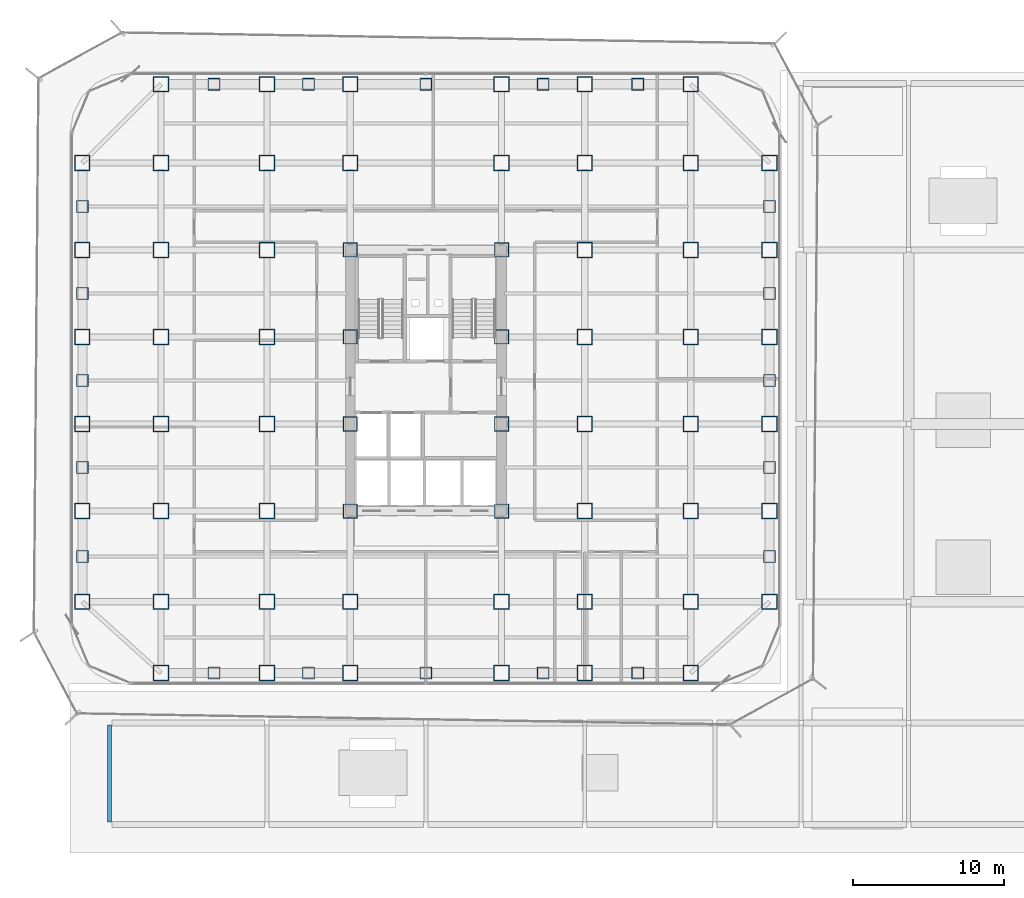
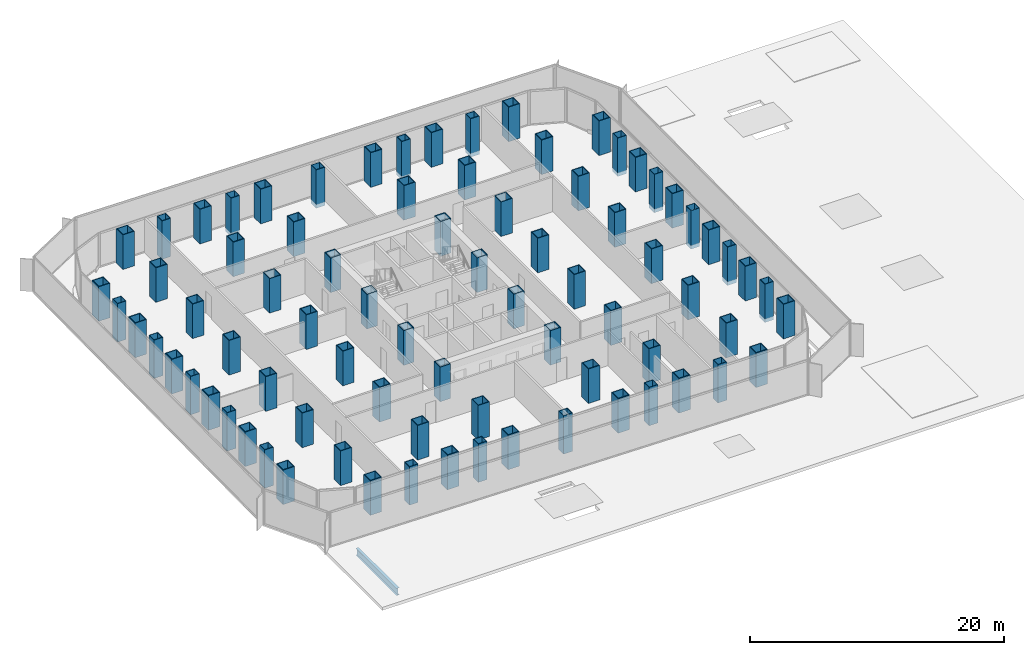
# One storey, part 1 of 27: 80 columns, 1 beam.
"""IFC4 building model written with IfcOpenShell, lengths in metres."""

from ifc_helpers import new_model, si_unit, direction, frame, origin, origin_2d, place, context, subcontext, project, spatial, hollow_rectangle, i_section, extrude, source, transform, mapped, material, material_profile, profile_set, type_object, element, save


model = new_model("IFC4")

# Units and contexts
model_context = context("Model", 3, precision=1e-05, world=origin(), true_north=direction((0.0, 1.0)))
body_context = subcontext(model_context, "Body", "Model", "MODEL_VIEW")
ifc_project = project(units=[si_unit("LENGTHUNIT", "METRE"), si_unit("AREAUNIT", "SQUARE_METRE"), si_unit("VOLUMEUNIT", "CUBIC_METRE"), si_unit("PLANEANGLEUNIT", "RADIAN"), si_unit("MASSUNIT", "GRAM", prefix="KILO")], contexts=[model_context])

# Site, building, storey
site_placement = place(None, origin())
site = spatial("IfcSite", under=ifc_project, at=site_placement, CompositionType="ELEMENT")
building_placement = place(site_placement, origin())
building = spatial("IfcBuilding", under=site, at=building_placement, Name="Kolveth Station Tower", CompositionType="ELEMENT")
storey_placement = place(building_placement, frame((0.0, 0.0, 22.5)))
storey = spatial("IfcBuildingStorey", under=building, at=storey_placement, Name="L05", CompositionType="ELEMENT", Elevation=22.5)

# Columns
ifc_material_1 = material(Name="Steel S460", Category="steel")
ifc_material_profile_1 = material_profile(ifc_material_1, hollow_rectangle(XDim=1.0400390625, YDim=1.0400390625, WallThickness=0.06494140625, at=origin_2d()), Name="BOX1040x1040x65")
ifc_profile_set_1 = profile_set([ifc_material_profile_1], Name="Steel S460")
column_type_1 = type_object("IfcColumnType", Name="Col_C2", PredefinedType="COLUMN", material=ifc_profile_set_1)
shared_shape_1 = source(origin(), body_context, "Body", "SweptSolid", [
    extrude(hollow_rectangle(XDim=1.0400390625, YDim=1.0400390625, WallThickness=0.06494140625, at=origin_2d()), origin(), (0.0, 0.0, 1.0), 3.320068359375),
])
for number, where, z_axis, x_axis, name in (
    (1, (6.0, 0.800048828125, 0.0), (0.0, 0.0, 1.0), (1.0, 0.0, 0.0), "L05 Tower Column S-X60"),
    (2, (6.0, 39.699951171875, 0.0), (0.0, 0.0, 1.0), (1.0, 0.0, 0.0), "L05 Tower Column N-X60"),
    (3, (13.0, 0.800048828125, 0.0), (0.0, 0.0, 1.0), (1.0, 0.0, 0.0), "L05 Tower Column S-X130"),
    (4, (13.0, 39.699951171875, 0.0), (0.0, 0.0, 1.0), (1.0, 0.0, 0.0), "L05 Tower Column N-X130"),
    (5, (18.5, 0.800048828125, 0.0), (0.0, 0.0, 1.0), (1.0, 0.0, 0.0), "L05 Tower Column S-X185"),
    (6, (18.5, 39.699951171875, 0.0), (0.0, 0.0, 1.0), (1.0, 0.0, 0.0), "L05 Tower Column N-X185"),
    (7, (28.5, 0.800048828125, 0.0), (0.0, 0.0, 1.0), (1.0, 0.0, 0.0), "L05 Tower Column S-X285"),
    (8, (28.5, 39.699951171875, 0.0), (0.0, 0.0, 1.0), (1.0, 0.0, 0.0), "L05 Tower Column N-X285"),
    (9, (34.0, 0.800048828125, 0.0), (0.0, 0.0, 1.0), (1.0, 0.0, 0.0), "L05 Tower Column S-X340"),
    (10, (34.0, 39.699951171875, 0.0), (0.0, 0.0, 1.0), (1.0, 0.0, 0.0), "L05 Tower Column N-X340"),
    (11, (41.0, 0.800048828125, 0.0), (0.0, 0.0, 1.0), (1.0, 0.0, 0.0), "L05 Tower Column S-X410"),
    (12, (41.0, 39.699951171875, 0.0), (0.0, 0.0, 1.0), (1.0, 0.0, 0.0), "L05 Tower Column N-X410"),
    (13, (0.800048828125, 5.5, 0.0), (0.0, 0.0, 1.0), (1.0, 0.0, 0.0), "L05 Tower Column W-Y55"),
    (14, (46.199951171875, 5.5, 0.0), (0.0, 0.0, 1.0), (1.0, 0.0, 0.0), "L05 Tower Column E-Y55"),
    (15, (0.800048828125, 11.5, 0.0), (0.0, 0.0, 1.0), (1.0, 0.0, 0.0), "L05 Tower Column W-Y115"),
    (16, (46.199951171875, 11.5, 0.0), (0.0, 0.0, 1.0), (1.0, 0.0, 0.0), "L05 Tower Column E-Y115"),
    (17, (0.800048828125, 17.25, 0.0), (0.0, 0.0, 1.0), (1.0, 0.0, 0.0), "L05 Tower Column W-Y172"),
    (18, (46.199951171875, 17.25, 0.0), (0.0, 0.0, 1.0), (1.0, 0.0, 0.0), "L05 Tower Column E-Y172"),
    (19, (0.800048828125, 23.0, 0.0), (0.0, 0.0, 1.0), (1.0, 0.0, 0.0), "L05 Tower Column W-Y230"),
    (20, (46.199951171875, 23.0, 0.0), (0.0, 0.0, 1.0), (1.0, 0.0, 0.0), "L05 Tower Column E-Y230"),
    (21, (0.800048828125, 28.75, 0.0), (0.0, 0.0, 1.0), (1.0, 0.0, 0.0), "L05 Tower Column W-Y287"),
    (22, (46.199951171875, 28.75, 0.0), (0.0, 0.0, 1.0), (1.0, 0.0, 0.0), "L05 Tower Column E-Y287"),
    (23, (0.800048828125, 34.5, 0.0), (0.0, 0.0, 1.0), (1.0, 0.0, 0.0), "L05 Tower Column W-Y345"),
    (24, (46.199951171875, 34.5, 0.0), (0.0, 0.0, 1.0), (1.0, 0.0, 0.0), "L05 Tower Column E-Y345"),
    (25, (6.0, 5.5, 0.0), (0.0, 0.0, 1.0), (1.0, 0.0, 0.0), "L05 Tower Column G-60-55"),
    (26, (6.0, 11.5, 0.0), (0.0, 0.0, 1.0), (1.0, 0.0, 0.0), "L05 Tower Column G-60-115"),
    (27, (6.0, 17.25, 0.0), (0.0, 0.0, 1.0), (1.0, 0.0, 0.0), "L05 Tower Column G-60-172"),
    (28, (6.0, 23.0, 0.0), (0.0, 0.0, 1.0), (1.0, 0.0, 0.0), "L05 Tower Column G-60-230"),
    (29, (6.0, 28.75, 0.0), (0.0, 0.0, 1.0), (1.0, 0.0, 0.0), "L05 Tower Column G-60-287"),
    (30, (6.0, 34.5, 0.0), (0.0, 0.0, 1.0), (1.0, 0.0, 0.0), "L05 Tower Column G-60-345"),
    (31, (13.0, 5.5, 0.0), (0.0, 0.0, 1.0), (1.0, 0.0, 0.0), "L05 Tower Column G-130-55"),
    (32, (13.0, 11.5, 0.0), (0.0, 0.0, 1.0), (1.0, 0.0, 0.0), "L05 Tower Column G-130-115"),
    (33, (13.0, 17.25, 0.0), (0.0, 0.0, 1.0), (1.0, 0.0, 0.0), "L05 Tower Column G-130-172"),
    (34, (13.0, 23.0, 0.0), (0.0, 0.0, 1.0), (1.0, 0.0, 0.0), "L05 Tower Column G-130-230"),
    (35, (13.0, 28.75, 0.0), (0.0, 0.0, 1.0), (1.0, 0.0, 0.0), "L05 Tower Column G-130-287"),
    (36, (13.0, 34.5, 0.0), (0.0, 0.0, 1.0), (1.0, 0.0, 0.0), "L05 Tower Column G-130-345"),
    (37, (18.5, 5.5, 0.0), (0.0, 0.0, 1.0), (1.0, 0.0, 0.0), "L05 Tower Column G-185-55"),
    (38, (18.5, 34.5, 0.0), (0.0, 0.0, 1.0), (1.0, 0.0, 0.0), "L05 Tower Column G-185-345"),
    (39, (28.5, 5.5, 0.0), (0.0, 0.0, 1.0), (1.0, 0.0, 0.0), "L05 Tower Column G-285-55"),
    (40, (28.5, 34.5, 0.0), (0.0, 0.0, 1.0), (1.0, 0.0, 0.0), "L05 Tower Column G-285-345"),
    (41, (34.0, 5.5, 0.0), (0.0, 0.0, 1.0), (1.0, 0.0, 0.0), "L05 Tower Column G-340-55"),
    (42, (34.0, 11.5, 0.0), (0.0, 0.0, 1.0), (1.0, 0.0, 0.0), "L05 Tower Column G-340-115"),
    (43, (34.0, 17.25, 0.0), (0.0, 0.0, 1.0), (1.0, 0.0, 0.0), "L05 Tower Column G-340-172"),
    (44, (34.0, 23.0, 0.0), (0.0, 0.0, 1.0), (1.0, 0.0, 0.0), "L05 Tower Column G-340-230"),
    (45, (34.0, 28.75, 0.0), (0.0, 0.0, 1.0), (1.0, 0.0, 0.0), "L05 Tower Column G-340-287"),
    (46, (34.0, 34.5, 0.0), (0.0, 0.0, 1.0), (1.0, 0.0, 0.0), "L05 Tower Column G-340-345"),
    (47, (41.0, 5.5, 0.0), (0.0, 0.0, 1.0), (1.0, 0.0, 0.0), "L05 Tower Column G-410-55"),
    (48, (41.0, 11.5, 0.0), (0.0, 0.0, 1.0), (1.0, 0.0, 0.0), "L05 Tower Column G-410-115"),
    (49, (41.0, 17.25, 0.0), (0.0, 0.0, 1.0), (1.0, 0.0, 0.0), "L05 Tower Column G-410-172"),
    (50, (41.0, 23.0, 0.0), (0.0, 0.0, 1.0), (1.0, 0.0, 0.0), "L05 Tower Column G-410-230"),
    (51, (41.0, 28.75, 0.0), (0.0, 0.0, 1.0), (1.0, 0.0, 0.0), "L05 Tower Column G-410-287"),
    (52, (41.0, 34.5, 0.0), (0.0, 0.0, 1.0), (1.0, 0.0, 0.0), "L05 Tower Column G-410-345"),
):
    element("IfcColumn", number, at=place(storey_placement, frame(where, z_axis=z_axis, x_axis=x_axis)), inside=storey, type_object=column_type_1, Name=name, PredefinedType="COLUMN", context=body_context, shape_type="MappedRepresentation", body=[
        mapped(shared_shape_1, transform((0.0, 0.0, 0.0), x_axis=(1.0, 0.0, 0.0), y_axis=(0.0, 1.0, 0.0), z_axis=(0.0, 0.0, 1.0), scale=1.0)),
    ])
ifc_material_profile_2 = material_profile(ifc_material_1, hollow_rectangle(XDim=0.9599609375, YDim=0.9599609375, WallThickness=0.06005859375, at=origin_2d()), Name="BOX960x960x60")
ifc_profile_set_2 = profile_set([ifc_material_profile_2], Name="Steel S460")
column_type_2 = type_object("IfcColumnType", Name="Col_C3", PredefinedType="COLUMN", material=ifc_profile_set_2)
shared_shape_2 = source(origin(), body_context, "Body", "SweptSolid", [
    extrude(hollow_rectangle(XDim=0.9599609375, YDim=0.9599609375, WallThickness=0.06005859375, at=origin_2d()), origin(), (0.0, 0.0, 1.0), 3.320068359375),
])
for number, where, z_axis, x_axis, name in (
    (53, (18.5, 11.5, 0.0), (0.0, 0.0, 1.0), (1.0, 0.0, 0.0), "L05 Tower Column G-185-115"),
    (54, (18.5, 17.25, 0.0), (0.0, 0.0, 1.0), (1.0, 0.0, 0.0), "L05 Tower Column G-185-172"),
    (55, (18.5, 23.0, 0.0), (0.0, 0.0, 1.0), (1.0, 0.0, 0.0), "L05 Tower Column G-185-230"),
    (56, (18.5, 28.75, 0.0), (0.0, 0.0, 1.0), (1.0, 0.0, 0.0), "L05 Tower Column G-185-287"),
    (57, (28.5, 11.5, 0.0), (0.0, 0.0, 1.0), (1.0, 0.0, 0.0), "L05 Tower Column G-285-115"),
    (58, (28.5, 17.25, 0.0), (0.0, 0.0, 1.0), (1.0, 0.0, 0.0), "L05 Tower Column G-285-172"),
    (59, (28.5, 23.0, 0.0), (0.0, 0.0, 1.0), (1.0, 0.0, 0.0), "L05 Tower Column G-285-230"),
    (60, (28.5, 28.75, 0.0), (0.0, 0.0, 1.0), (1.0, 0.0, 0.0), "L05 Tower Column G-285-287"),
):
    element("IfcColumn", number, at=place(storey_placement, frame(where, z_axis=z_axis, x_axis=x_axis)), inside=storey, type_object=column_type_2, Name=name, PredefinedType="COLUMN", context=body_context, shape_type="MappedRepresentation", body=[
        mapped(shared_shape_2, transform((0.0, 0.0, 0.0), x_axis=(1.0, 0.0, 0.0), y_axis=(0.0, 1.0, 0.0), z_axis=(0.0, 0.0, 1.0), scale=1.0)),
    ])
ifc_material_2 = material(Name="Steel S355", Category="steel")
ifc_material_profile_3 = material_profile(ifc_material_2, hollow_rectangle(XDim=0.800048828125, YDim=0.800048828125, WallThickness=0.044921875, at=origin_2d()), Name="BOX800x800x45")
ifc_profile_set_3 = profile_set([ifc_material_profile_3], Name="Steel S355")
column_type_3 = type_object("IfcColumnType", Name="Col_C5", PredefinedType="COLUMN", material=ifc_profile_set_3)
shared_shape_3 = source(origin(), body_context, "Body", "SweptSolid", [
    extrude(hollow_rectangle(XDim=0.800048828125, YDim=0.800048828125, WallThickness=0.044921875, at=origin_2d()), origin(), (0.0, 0.0, 1.0), 3.68017578125),
])
for number, where, z_axis, x_axis, name in (
    (61, (9.5, 0.800048828125, -0.360107421875), (0.0, 0.0, 1.0), (1.0, 0.0, 0.0), "L05 Tower Column MS-X95"),
    (62, (9.5, 39.699951171875, -0.360107421875), (0.0, 0.0, 1.0), (1.0, 0.0, 0.0), "L05 Tower Column MN-X95"),
    (63, (15.75, 0.800048828125, -0.360107421875), (0.0, 0.0, 1.0), (1.0, 0.0, 0.0), "L05 Tower Column MS-X157"),
    (64, (15.75, 39.699951171875, -0.360107421875), (0.0, 0.0, 1.0), (1.0, 0.0, 0.0), "L05 Tower Column MN-X157"),
    (65, (23.5, 0.800048828125, -0.360107421875), (0.0, 0.0, 1.0), (1.0, 0.0, 0.0), "L05 Tower Column MS-X235"),
    (66, (23.5, 39.699951171875, -0.360107421875), (0.0, 0.0, 1.0), (1.0, 0.0, 0.0), "L05 Tower Column MN-X235"),
    (67, (31.25, 0.800048828125, -0.360107421875), (0.0, 0.0, 1.0), (1.0, 0.0, 0.0), "L05 Tower Column MS-X312"),
    (68, (31.25, 39.699951171875, -0.360107421875), (0.0, 0.0, 1.0), (1.0, 0.0, 0.0), "L05 Tower Column MN-X312"),
    (69, (37.5, 0.800048828125, -0.360107421875), (0.0, 0.0, 1.0), (1.0, 0.0, 0.0), "L05 Tower Column MS-X375"),
    (70, (37.5, 39.699951171875, -0.360107421875), (0.0, 0.0, 1.0), (1.0, 0.0, 0.0), "L05 Tower Column MN-X375"),
    (71, (0.800048828125, 8.5, -0.360107421875), (0.0, 0.0, 1.0), (1.0, 0.0, 0.0), "L05 Tower Column MW-Y85"),
    (72, (46.199951171875, 8.5, -0.360107421875), (0.0, 0.0, 1.0), (1.0, 0.0, 0.0), "L05 Tower Column ME-Y85"),
    (73, (0.800048828125, 14.375, -0.360107421875), (0.0, 0.0, 1.0), (1.0, 0.0, 0.0), "L05 Tower Column MW-Y143"),
    (74, (46.199951171875, 14.375, -0.360107421875), (0.0, 0.0, 1.0), (1.0, 0.0, 0.0), "L05 Tower Column ME-Y143"),
    (75, (0.800048828125, 20.125, -0.360107421875), (0.0, 0.0, 1.0), (1.0, 0.0, 0.0), "L05 Tower Column MW-Y201"),
    (76, (46.199951171875, 20.125, -0.360107421875), (0.0, 0.0, 1.0), (1.0, 0.0, 0.0), "L05 Tower Column ME-Y201"),
    (77, (0.800048828125, 25.875, -0.360107421875), (0.0, 0.0, 1.0), (1.0, 0.0, 0.0), "L05 Tower Column MW-Y258"),
    (78, (46.199951171875, 25.875, -0.360107421875), (0.0, 0.0, 1.0), (1.0, 0.0, 0.0), "L05 Tower Column ME-Y258"),
    (79, (0.800048828125, 31.625, -0.360107421875), (0.0, 0.0, 1.0), (1.0, 0.0, 0.0), "L05 Tower Column MW-Y316"),
    (80, (46.199951171875, 31.625, -0.360107421875), (0.0, 0.0, 1.0), (1.0, 0.0, 0.0), "L05 Tower Column ME-Y316"),
):
    element("IfcColumn", number, at=place(storey_placement, frame(where, z_axis=z_axis, x_axis=x_axis)), inside=storey, type_object=column_type_3, Name=name, PredefinedType="COLUMN", context=body_context, shape_type="MappedRepresentation", body=[
        mapped(shared_shape_3, transform((0.0, 0.0, 0.0), x_axis=(1.0, 0.0, 0.0), y_axis=(0.0, 1.0, 0.0), z_axis=(0.0, 0.0, 1.0), scale=1.0)),
    ])

# Beam
ifc_material_profile_4 = material_profile(ifc_material_2, i_section(OverallWidth=0.25390625, OverallDepth=0.68798828125, WebThickness=0.01318359375, FlangeThickness=0.02099609375, at=origin_2d()), Name="W690x152")
ifc_profile_set_4 = profile_set([ifc_material_profile_4], Name="Steel S355")
beam_type = type_object("IfcBeamType", Name="Beam_B4", PredefinedType="BEAM", material=ifc_profile_set_4)
shared_shape_4 = source(origin(), body_context, "Body", "SweptSolid", [
    extrude(i_section(OverallWidth=0.25390625, OverallDepth=0.68798828125, WebThickness=0.01318359375, FlangeThickness=0.02099609375, at=origin_2d()), origin(), (0.0, 0.0, 1.0), 6.400146484375),
])
beam_placement = place(storey_placement, frame((2.60009765625, -9.050048828125, -0.64404296875), z_axis=(0.0, 1.0, 0.0), x_axis=(-1.0, 0.0, 0.0)))
element("IfcBeam", 81, at=beam_placement, inside=storey, type_object=beam_type, Name="L05 Station Transverse Beam SBM-L05-ST-1", PredefinedType="BEAM", context=body_context, shape_type="MappedRepresentation", body=[
    mapped(shared_shape_4, transform((0.0, 0.0, 0.0), x_axis=(1.0, 0.0, 0.0), y_axis=(0.0, 1.0, 0.0), z_axis=(0.0, 0.0, 1.0), scale=1.0)),
])

save(model, "model.ifc")
